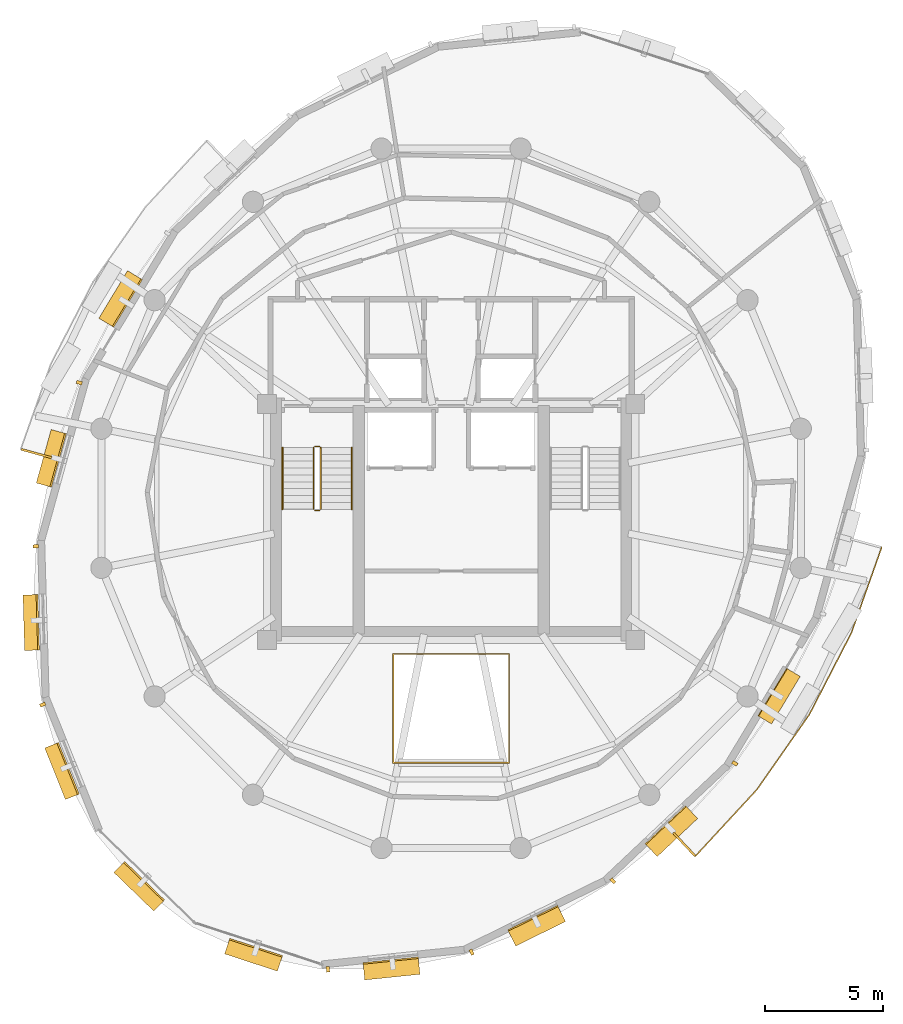
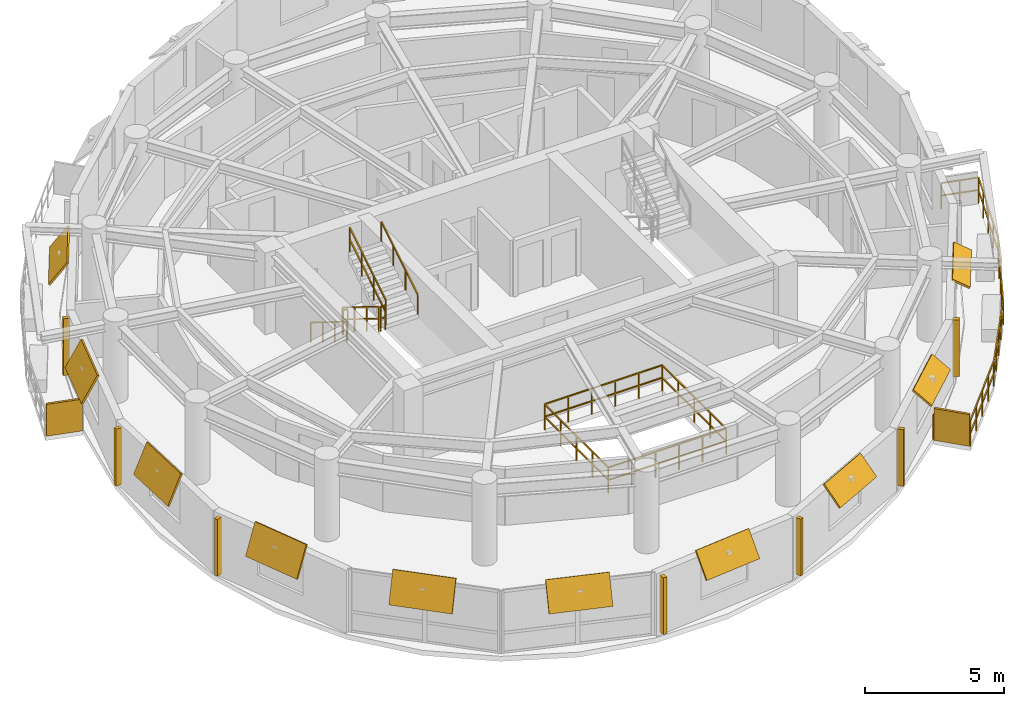
# One storey, part 10 of 11: 19 shading devices, 8 railings.
"""IFC4 building model written with IfcOpenShell, lengths in metres."""

import ifcopenshell
import ifcopenshell.guid

model = None  # the IFC model being written
_history = None  # IfcOwnerHistory: only IFC2X3 demands one
_inside = {}  # id of a spatial element -> (the spatial element, [elements in it])
_under = {}  # id of a project, library or spatial element -> (it, [spatial elements below it])
_declared = {}  # id of a project -> (the project, [libraries it declares])
_typed = {}  # id of a type object -> (the type object, [elements of that type])
_made_of = {}  # id of a material, layer set ... -> (it, [elements and type objects made of it])


def new_model(schema):
    """Start an empty IFC model of exactly this schema.

    Asked for "IFC4X3", IfcOpenShell would pick the latest addendum, in which some entities
    have other attributes; the version numbers below select the first issue.
    IFC2X3 requires an IfcOwnerHistory on every rooted entity: one is made here for all.
    """
    global model, _history
    if schema == "IFC4X3":
        model = ifcopenshell.file(schema_version=(4, 3, 0, 0))
    else:
        model = ifcopenshell.file(schema=schema)
    _inside.clear()
    _under.clear()
    _declared.clear()
    _typed.clear()
    _made_of.clear()
    _history = None
    if model.schema == "IFC2X3":
        org = make("IfcOrganization", Name="unknown")
        user = make(
            "IfcPersonAndOrganization",
            ThePerson=make("IfcPerson", FamilyName="unknown"),
            TheOrganization=org,
        )
        app = make(
            "IfcApplication",
            ApplicationDeveloper=org,
            Version="unknown",
            ApplicationFullName="unknown",
            ApplicationIdentifier="unknown",
        )
        _history = make(
            "IfcOwnerHistory",
            OwningUser=user,
            OwningApplication=app,
            ChangeAction="ADDED",
            CreationDate=0,
        )
    return model


def make(cls, **values):
    """One entity of the class cls with the attributes given. An attribute that is None is left unset."""
    return model.create_entity(
        cls, **{name: value for name, value in values.items() if value is not None}
    )


def rooted(cls, **values):
    """An entity with a GlobalId (a new one), such as an element, a storey or a relation."""
    return make(cls, GlobalId=ifcopenshell.guid.new(), OwnerHistory=_history, **values)


def si_unit(unit_type, name, prefix=None):
    """IfcSIUnit, for example si_unit("LENGTHUNIT", "METRE", prefix="MILLI")."""
    return make("IfcSIUnit", UnitType=unit_type, Prefix=prefix, Name=name)


def assignment(units):
    """IfcUnitAssignment: the units of a project."""
    return None if units is None else make("IfcUnitAssignment", Units=units)


def point(xyz):
    """IfcCartesianPoint."""
    return None if xyz is None else make("IfcCartesianPoint", Coordinates=xyz)


def direction(xyz):
    """IfcDirection."""
    return None if xyz is None else make("IfcDirection", DirectionRatios=xyz)


def frame(location, z_axis=None, x_axis=None):
    """IfcAxis2Placement3D, a coordinate frame: its origin and axes. An axis left out is left unset."""
    return make(
        "IfcAxis2Placement3D",
        Location=point(location),
        Axis=direction(z_axis),
        RefDirection=direction(x_axis),
    )


def frame_2d(location, x_axis=None):
    """IfcAxis2Placement2D, a coordinate frame in the plane: its origin and x axis."""
    return make(
        "IfcAxis2Placement2D", Location=point(location), RefDirection=direction(x_axis)
    )


def origin():
    """The frame at (0, 0, 0) with its axes left unset."""
    return frame((0.0, 0.0, 0.0))


def origin_2d():
    """The frame at (0, 0) in the plane with its x axis left unset."""
    return frame_2d((0.0, 0.0))


def place(relative_to, where):
    """IfcLocalPlacement: puts the frame where relative to a parent placement (None: the world)."""
    return make(
        "IfcLocalPlacement", PlacementRelTo=relative_to, RelativePlacement=where
    )


def context(
    kind, dimensions, precision=None, world=None, true_north=None, identifier=None
):
    """IfcGeometricRepresentationContext, for example the 3D "Model" context."""
    return make(
        "IfcGeometricRepresentationContext",
        ContextIdentifier=identifier,
        ContextType=kind,
        CoordinateSpaceDimension=dimensions,
        Precision=precision,
        WorldCoordinateSystem=world,
        TrueNorth=true_north,
    )


def subcontext(parent, identifier, kind, view, scale=None):
    """IfcGeometricRepresentationSubContext, for example "Body" below "Model"."""
    return make(
        "IfcGeometricRepresentationSubContext",
        ContextIdentifier=identifier,
        ContextType=kind,
        ParentContext=parent,
        TargetScale=scale,
        TargetView=view,
    )


def project(units=None, contexts=None):
    """IfcProject with its units and contexts."""
    return rooted(
        "IfcProject",
        Name="project",
        RepresentationContexts=contexts,
        UnitsInContext=assignment(units),
    )


def spatial(cls, under=None, at=None, **own):
    """A site, building, storey or space (cls), placed at a placement, below another one or the project."""
    s = rooted(cls, ObjectPlacement=at, **own)
    if under is not None:
        _under.setdefault(under.id(), (under, []))[1].append(s)
    return s


def profile(cls, at=None, kind="AREA", **sizes):
    """A parametric profile (cls). Its sizes go by their IFC names, for example OverallWidth=200.0."""
    return make(cls, ProfileType=kind, Position=at, **sizes)


def rectangle(**sizes):
    """IfcRectangleProfileDef."""
    return profile("IfcRectangleProfileDef", **sizes)


def extrude(swept, where, along, depth):
    """IfcExtrudedAreaSolid: the profile swept, set in the frame where, extruded along a direction by depth."""
    return make(
        "IfcExtrudedAreaSolid",
        SweptArea=swept,
        Position=where,
        ExtrudedDirection=direction(along),
        Depth=depth,
    )


def shape(context_of_items, identifier, shape_type, items):
    """IfcShapeRepresentation: the items that make up one representation, for example the "Body"."""
    return make(
        "IfcShapeRepresentation",
        ContextOfItems=context_of_items,
        RepresentationIdentifier=identifier,
        RepresentationType=shape_type,
        Items=items,
    )


def material(Name=None, Category=None):
    """IfcMaterial."""
    return make("IfcMaterial", Name=Name, Category=Category)


def layer(
    of_material, thickness, ventilated=None, Name=None, Category=None, Priority=None
):
    """IfcMaterialLayer: one layer of a wall or slab, of a material (None: an air gap)."""
    return make(
        "IfcMaterialLayer",
        Material=of_material,
        LayerThickness=thickness,
        IsVentilated=ventilated,
        Name=Name,
        Category=Category,
        Priority=Priority,
    )


def layer_set(layers, Name=None):
    """IfcMaterialLayerSet."""
    return make("IfcMaterialLayerSet", MaterialLayers=layers, LayerSetName=Name)


def made_of(thing, what):
    """Note that an element or type object is made of a material, layer set ...; save() writes the relation."""
    if what is not None:
        _made_of.setdefault(what.id(), (what, []))[1].append(thing)
    return thing


def type_object(cls, material=None, **own):
    """A type object (cls), such as IfcWallType, which elements share."""
    return made_of(rooted(cls, **own), material)


def element(
    cls,
    number,
    at=None,
    inside=None,
    cuts=None,
    type_object=None,
    material=None,
    context=None,
    identifier="Body",
    shape_type=None,
    held_by="IfcProductDefinitionShape",
    body=None,
    shapes=None,
    **own,
):
    """One element of the class cls, such as IfcWall. Its Tag is "e" and its number.

    at: its placement. inside: the storey or other place that contains it. cuts: it is an
    opening in that element (IfcRelVoidsElement). A single representation is given by context,
    identifier, shape_type and body (its items); several are given by shapes. held_by: the class
    of the entity that holds the representations. save() writes the other relations.
    """
    e = rooted(cls, Tag="e%d" % number, ObjectPlacement=at, **own)
    if body is not None:
        shapes = [shape(context, identifier, shape_type, body)]
    if shapes is not None:
        e.Representation = make(held_by, Representations=shapes)
    if inside is not None:
        _inside.setdefault(inside.id(), (inside, []))[1].append(e)
    if cuts is not None:
        rooted(
            "IfcRelVoidsElement", RelatingBuildingElement=cuts, RelatedOpeningElement=e
        )
    if type_object is not None:
        _typed.setdefault(type_object.id(), (type_object, []))[1].append(e)
    return made_of(e, material)


def aggregate(whole, parts):
    """IfcRelAggregates: a whole, such as a stair, and the parts it consists of."""
    return rooted("IfcRelAggregates", RelatingObject=whole, RelatedObjects=parts)


def save(model, path):
    """Write the relations noted so far, then the file.

    IfcRelAggregates (storeys below a building ...), IfcRelContainedInSpatialStructure (elements
    in a storey), IfcRelDefinesByType, IfcRelAssociatesMaterial and IfcRelDeclares: one each for
    every whole, place, type object, material and project.
    """
    for whole, parts in _under.values():
        aggregate(whole, parts)
    for where, things in _inside.values():
        rooted(
            "IfcRelContainedInSpatialStructure",
            RelatedElements=things,
            RelatingStructure=where,
        )
    for kind, things in _typed.values():
        rooted("IfcRelDefinesByType", RelatedObjects=things, RelatingType=kind)
    for what, things in _made_of.values():
        rooted("IfcRelAssociatesMaterial", RelatedObjects=things, RelatingMaterial=what)
    for by, libraries in _declared.values():
        rooted("IfcRelDeclares", RelatingContext=by, RelatedDefinitions=libraries)
    model.write(path)


model = new_model("IFC4")

# Units and contexts
model_context = context("Model", 3, precision=1e-05, world=origin(), true_north=direction((0.0, 1.0)))
body_context = subcontext(model_context, "Body", "Model", "MODEL_VIEW")
ifc_project = project(units=[si_unit("LENGTHUNIT", "METRE"), si_unit("AREAUNIT", "SQUARE_METRE"), si_unit("VOLUMEUNIT", "CUBIC_METRE"), si_unit("PLANEANGLEUNIT", "RADIAN"), si_unit("MASSUNIT", "GRAM", prefix="KILO"), si_unit("THERMODYNAMICTEMPERATUREUNIT", "KELVIN"), si_unit("POWERUNIT", "WATT")], contexts=[model_context])

# Site, building, storey
site_placement = place(None, origin())
site = spatial("IfcSite", under=ifc_project, at=site_placement, CompositionType="ELEMENT")
building_placement = place(site_placement, origin())
building = spatial("IfcBuilding", under=site, at=building_placement, Name="Ocrelia Relay Tower", CompositionType="ELEMENT")
storey_placement = place(building_placement, frame((0.0, 0.0, 273.60009765625)))
storey = spatial("IfcBuildingStorey", under=building, at=storey_placement, Name="L68", CompositionType="ELEMENT", Elevation=273.60009765625)

# Railings
ifc_material_1 = material(Name="Steel S355 balustrade", Category="steel")
railing_type_1 = type_object("IfcRailingType", Name="RL-EXT-GUARD-1150", PredefinedType="GUARDRAIL", material=ifc_material_1)
railing_1_placement = place(storey_placement, frame((50.8896484375, 24.288818359375, 0.0)))
element("IfcRailing", 1, at=railing_1_placement, inside=storey, type_object=railing_type_1, Name="L68 Loggia Balcony Guard Rail B2", PredefinedType="GUARDRAIL", context=body_context, shape_type="SweptSolid", body=[
    extrude(rectangle(XDim=0.048095703125, YDim=0.048095703125, at=origin_2d()), frame((0.0, 0.0, 1.1259765625), z_axis=(0.964028233206, -0.26579986001, 0.0), x_axis=(0.26579986001, 0.964028233206, 0.0)), (0.0, 0.0, 1.0), 1.393310546875),
    extrude(rectangle(XDim=0.048095703125, YDim=0.048095703125, at=origin_2d()), frame((0.0, 0.0, 0.574951171875), z_axis=(0.964028233206, -0.26579986001, 0.0), x_axis=(0.26579986001, 0.964028233206, 0.0)), (0.0, 0.0, 1.0), 1.393310546875),
    extrude(rectangle(XDim=0.048095703125, YDim=0.048095703125, at=origin_2d()), frame((1.34326171875, -0.370361328125, 1.1259765625), z_axis=(-0.333145881361, -0.9428752949, 0.0), x_axis=(0.9428752949, -0.333145881361, 0.0)), (0.0, 0.0, 1.0), 1.920654296875),
    extrude(rectangle(XDim=0.048095703125, YDim=0.048095703125, at=origin_2d()), frame((1.34326171875, -0.370361328125, 0.574951171875), z_axis=(-0.333145881361, -0.9428752949, 0.0), x_axis=(0.9428752949, -0.333145881361, 0.0)), (0.0, 0.0, 1.0), 1.920654296875),
    extrude(rectangle(XDim=0.048095703125, YDim=0.048095703125, at=origin_2d()), frame((0.703369140625, -2.181396484375, 1.1259765625), z_axis=(-0.333032874835, -0.942915215849, 0.0), x_axis=(0.942915215849, -0.333032874835, 0.0)), (0.0, 0.0, 1.0), 1.920654296875),
    extrude(rectangle(XDim=0.048095703125, YDim=0.048095703125, at=origin_2d()), frame((0.703369140625, -2.181396484375, 0.574951171875), z_axis=(-0.333032874835, -0.942915215849, 0.0), x_axis=(0.942915215849, -0.333032874835, 0.0)), (0.0, 0.0, 1.0), 1.920654296875),
    extrude(rectangle(XDim=0.048095703125, YDim=0.048095703125, at=origin_2d()), frame((0.063720703125, -3.992431640625, 1.1259765625), z_axis=(-0.457923454182, -0.888991625444, 0.0), x_axis=(0.888991625444, -0.457923454182, 0.0)), (0.0, 0.0, 1.0), 3.8818359375),
    extrude(rectangle(XDim=0.048095703125, YDim=0.048095703125, at=origin_2d()), frame((0.063720703125, -3.992431640625, 0.574951171875), z_axis=(-0.457923454182, -0.888991625444, 0.0), x_axis=(0.888991625444, -0.457923454182, 0.0)), (0.0, 0.0, 1.0), 3.8818359375),
    extrude(rectangle(XDim=0.048095703125, YDim=0.048095703125, at=origin_2d()), frame((-1.7138671875, -7.443359375, 1.1259765625), z_axis=(-0.572824803957, -0.819677829377, 0.0), x_axis=(0.819677829377, -0.572824803957, 0.0)), (0.0, 0.0, 1.0), 3.8818359375),
    extrude(rectangle(XDim=0.048095703125, YDim=0.048095703125, at=origin_2d()), frame((-1.7138671875, -7.443359375, 0.574951171875), z_axis=(-0.572824803957, -0.819677829377, 0.0), x_axis=(0.819677829377, -0.572824803957, 0.0)), (0.0, 0.0, 1.0), 3.8818359375),
    extrude(rectangle(XDim=0.048095703125, YDim=0.048095703125, at=origin_2d()), frame((-3.9375, -10.625244140625, 1.1259765625), z_axis=(-0.678723414129, -0.734393986299, 0.0), x_axis=(0.734393986299, -0.678723414129, 0.0)), (0.0, 0.0, 1.0), 1.9208984375),
    extrude(rectangle(XDim=0.048095703125, YDim=0.048095703125, at=origin_2d()), frame((-3.9375, -10.625244140625, 0.574951171875), z_axis=(-0.678723414129, -0.734393986299, 0.0), x_axis=(0.734393986299, -0.678723414129, 0.0)), (0.0, 0.0, 1.0), 1.9208984375),
    extrude(rectangle(XDim=0.048095703125, YDim=0.048095703125, at=origin_2d()), frame((-5.2412109375, -12.035888671875, 1.1259765625), z_axis=(-0.678654854889, -0.734457342489, 0.0), x_axis=(0.734457342489, -0.678654854889, 0.0)), (0.0, 0.0, 1.0), 1.920654296875),
    extrude(rectangle(XDim=0.048095703125, YDim=0.048095703125, at=origin_2d()), frame((-5.2412109375, -12.035888671875, 0.574951171875), z_axis=(-0.678654854889, -0.734457342489, 0.0), x_axis=(0.734457342489, -0.678654854889, 0.0)), (0.0, 0.0, 1.0), 1.920654296875),
    extrude(rectangle(XDim=0.048095703125, YDim=0.048095703125, at=origin_2d()), frame((-6.544677734375, -13.446533203125, 1.1259765625), z_axis=(-0.684867220782, 0.728667887243, 0.0), x_axis=(-0.728667887243, -0.684867220782, 0.0)), (0.0, 0.0, 1.0), 1.3935546875),
    extrude(rectangle(XDim=0.048095703125, YDim=0.048095703125, at=origin_2d()), frame((-6.544677734375, -13.446533203125, 0.574951171875), z_axis=(-0.684867220782, 0.728667887243, 0.0), x_axis=(-0.728667887243, -0.684867220782, 0.0)), (0.0, 0.0, 1.0), 1.3935546875),
    extrude(rectangle(XDim=0.0419921875, YDim=0.0419921875, at=origin_2d()), origin(), (0.0, 0.0, 1.0), 1.101806640625),
    extrude(rectangle(XDim=0.0419921875, YDim=0.0419921875, at=origin_2d()), frame((0.671630859375, -0.18505859375, 0.0)), (0.0, 0.0, 1.0), 1.101806640625),
    extrude(rectangle(XDim=0.0419921875, YDim=0.0419921875, at=origin_2d()), frame((1.34326171875, -0.370361328125, 0.0)), (0.0, 0.0, 1.0), 1.101806640625),
    extrude(rectangle(XDim=0.0419921875, YDim=0.0419921875, at=origin_2d()), frame((1.0234375, -1.27587890625, 0.0)), (0.0, 0.0, 1.0), 1.101806640625),
    extrude(rectangle(XDim=0.0419921875, YDim=0.0419921875, at=origin_2d()), frame((0.703369140625, -2.181396484375, 0.0)), (0.0, 0.0, 1.0), 1.101806640625),
    extrude(rectangle(XDim=0.0419921875, YDim=0.0419921875, at=origin_2d()), frame((0.383544921875, -3.0869140625, 0.0)), (0.0, 0.0, 1.0), 1.101806640625),
    extrude(rectangle(XDim=0.0419921875, YDim=0.0419921875, at=origin_2d()), frame((0.063720703125, -3.992431640625, 0.0)), (0.0, 0.0, 1.0), 1.101806640625),
    extrude(rectangle(XDim=0.0419921875, YDim=0.0419921875, at=origin_2d()), frame((-0.380615234375, -4.855224609375, 0.0)), (0.0, 0.0, 1.0), 1.101806640625),
    extrude(rectangle(XDim=0.0419921875, YDim=0.0419921875, at=origin_2d()), frame((-0.8251953125, -5.7177734375, 0.0)), (0.0, 0.0, 1.0), 1.101806640625),
    extrude(rectangle(XDim=0.0419921875, YDim=0.0419921875, at=origin_2d()), frame((-1.26953125, -6.58056640625, 0.0)), (0.0, 0.0, 1.0), 1.101806640625),
    extrude(rectangle(XDim=0.0419921875, YDim=0.0419921875, at=origin_2d()), frame((-1.7138671875, -7.443359375, 0.0)), (0.0, 0.0, 1.0), 1.101806640625),
    extrude(rectangle(XDim=0.0419921875, YDim=0.0419921875, at=origin_2d()), frame((-2.269775390625, -8.23876953125, 0.0)), (0.0, 0.0, 1.0), 1.101806640625),
    extrude(rectangle(XDim=0.0419921875, YDim=0.0419921875, at=origin_2d()), frame((-2.82568359375, -9.0341796875, 0.0)), (0.0, 0.0, 1.0), 1.101806640625),
    extrude(rectangle(XDim=0.0419921875, YDim=0.0419921875, at=origin_2d()), frame((-3.381591796875, -9.829833984375, 0.0)), (0.0, 0.0, 1.0), 1.101806640625),
    extrude(rectangle(XDim=0.0419921875, YDim=0.0419921875, at=origin_2d()), frame((-3.9375, -10.625244140625, 0.0)), (0.0, 0.0, 1.0), 1.101806640625),
    extrude(rectangle(XDim=0.0419921875, YDim=0.0419921875, at=origin_2d()), frame((-4.58935546875, -11.33056640625, 0.0)), (0.0, 0.0, 1.0), 1.101806640625),
    extrude(rectangle(XDim=0.0419921875, YDim=0.0419921875, at=origin_2d()), frame((-5.2412109375, -12.035888671875, 0.0)), (0.0, 0.0, 1.0), 1.101806640625),
    extrude(rectangle(XDim=0.0419921875, YDim=0.0419921875, at=origin_2d()), frame((-5.89306640625, -12.7412109375, 0.0)), (0.0, 0.0, 1.0), 1.101806640625),
    extrude(rectangle(XDim=0.0419921875, YDim=0.0419921875, at=origin_2d()), frame((-6.544677734375, -13.446533203125, 0.0)), (0.0, 0.0, 1.0), 1.101806640625),
    extrude(rectangle(XDim=0.0419921875, YDim=0.0419921875, at=origin_2d()), frame((-7.02197265625, -12.93896484375, 0.0)), (0.0, 0.0, 1.0), 1.101806640625),
    extrude(rectangle(XDim=0.0419921875, YDim=0.0419921875, at=origin_2d()), frame((-7.4990234375, -12.43115234375, 0.0)), (0.0, 0.0, 1.0), 1.101806640625),
])
ifc_material_2 = material(Name="Steel S355 atrium balustrade", Category="steel")
railing_type_2 = type_object("IfcRailingType", Name="RL-INT-GUARD-115", PredefinedType="GUARDRAIL", material=ifc_material_2)
railing_2_placement = place(storey_placement, frame((31.550048828125, 14.800048828125, 0.0)))
element("IfcRailing", 2, at=railing_2_placement, inside=storey, type_object=railing_type_2, Name="L68 Multi-Zone Interior Atrium Guard", PredefinedType="GUARDRAIL", context=body_context, shape_type="SweptSolid", body=[
    extrude(rectangle(XDim=0.048095703125, YDim=0.048095703125, at=origin_2d()), frame((0.0, 0.0, 1.1259765625), z_axis=(1.0, 0.0, 0.0), x_axis=(0.0, 1.0, 0.0)), (0.0, 0.0, 1.0), 4.89990234375),
    extrude(rectangle(XDim=0.048095703125, YDim=0.048095703125, at=origin_2d()), frame((0.0, 0.0, 0.574951171875), z_axis=(1.0, 0.0, 0.0), x_axis=(0.0, 1.0, 0.0)), (0.0, 0.0, 1.0), 4.89990234375),
    extrude(rectangle(XDim=0.048095703125, YDim=0.048095703125, at=origin_2d()), frame((4.89990234375, 0.0, 1.1259765625), z_axis=(0.0, 1.0, 0.0), x_axis=(-1.0, 0.0, 0.0)), (0.0, 0.0, 1.0), 4.599853515625),
    extrude(rectangle(XDim=0.048095703125, YDim=0.048095703125, at=origin_2d()), frame((4.89990234375, 0.0, 0.574951171875), z_axis=(0.0, 1.0, 0.0), x_axis=(-1.0, 0.0, 0.0)), (0.0, 0.0, 1.0), 4.599853515625),
    extrude(rectangle(XDim=0.048095703125, YDim=0.048095703125, at=origin_2d()), frame((4.89990234375, 4.599853515625, 1.1259765625), z_axis=(-1.0, 0.0, 0.0), x_axis=(0.0, -1.0, 0.0)), (0.0, 0.0, 1.0), 4.89990234375),
    extrude(rectangle(XDim=0.048095703125, YDim=0.048095703125, at=origin_2d()), frame((4.89990234375, 4.599853515625, 0.574951171875), z_axis=(-1.0, 0.0, 0.0), x_axis=(0.0, -1.0, 0.0)), (0.0, 0.0, 1.0), 4.89990234375),
    extrude(rectangle(XDim=0.048095703125, YDim=0.048095703125, at=origin_2d()), frame((0.0, 4.599853515625, 1.1259765625), z_axis=(0.0, -1.0, 0.0), x_axis=(1.0, 0.0, 0.0)), (0.0, 0.0, 1.0), 4.599853515625),
    extrude(rectangle(XDim=0.048095703125, YDim=0.048095703125, at=origin_2d()), frame((0.0, 4.599853515625, 0.574951171875), z_axis=(0.0, -1.0, 0.0), x_axis=(1.0, 0.0, 0.0)), (0.0, 0.0, 1.0), 4.599853515625),
    extrude(rectangle(XDim=0.0419921875, YDim=0.0419921875, at=origin_2d()), origin(), (0.0, 0.0, 1.0), 1.101806640625),
    extrude(rectangle(XDim=0.0419921875, YDim=0.0419921875, at=origin_2d()), frame((0.97998046875, 0.0, 0.0)), (0.0, 0.0, 1.0), 1.101806640625),
    extrude(rectangle(XDim=0.0419921875, YDim=0.0419921875, at=origin_2d()), frame((1.9599609375, 0.0, 0.0)), (0.0, 0.0, 1.0), 1.101806640625),
    extrude(rectangle(XDim=0.0419921875, YDim=0.0419921875, at=origin_2d()), frame((2.93994140625, 0.0, 0.0)), (0.0, 0.0, 1.0), 1.101806640625),
    extrude(rectangle(XDim=0.0419921875, YDim=0.0419921875, at=origin_2d()), frame((3.919921875, 0.0, 0.0)), (0.0, 0.0, 1.0), 1.101806640625),
    extrude(rectangle(XDim=0.0419921875, YDim=0.0419921875, at=origin_2d()), frame((4.89990234375, 0.0, 0.0)), (0.0, 0.0, 1.0), 1.101806640625),
    extrude(rectangle(XDim=0.0419921875, YDim=0.0419921875, at=origin_2d()), frame((4.89990234375, 1.14990234375, 0.0)), (0.0, 0.0, 1.0), 1.101806640625),
    extrude(rectangle(XDim=0.0419921875, YDim=0.0419921875, at=origin_2d()), frame((4.89990234375, 2.2998046875, 0.0)), (0.0, 0.0, 1.0), 1.101806640625),
    extrude(rectangle(XDim=0.0419921875, YDim=0.0419921875, at=origin_2d()), frame((4.89990234375, 3.449951171875, 0.0)), (0.0, 0.0, 1.0), 1.101806640625),
    extrude(rectangle(XDim=0.0419921875, YDim=0.0419921875, at=origin_2d()), frame((4.89990234375, 4.599853515625, 0.0)), (0.0, 0.0, 1.0), 1.101806640625),
    extrude(rectangle(XDim=0.0419921875, YDim=0.0419921875, at=origin_2d()), frame((3.919921875, 4.599853515625, 0.0)), (0.0, 0.0, 1.0), 1.101806640625),
    extrude(rectangle(XDim=0.0419921875, YDim=0.0419921875, at=origin_2d()), frame((2.93994140625, 4.599853515625, 0.0)), (0.0, 0.0, 1.0), 1.101806640625),
    extrude(rectangle(XDim=0.0419921875, YDim=0.0419921875, at=origin_2d()), frame((1.9599609375, 4.599853515625, 0.0)), (0.0, 0.0, 1.0), 1.101806640625),
    extrude(rectangle(XDim=0.0419921875, YDim=0.0419921875, at=origin_2d()), frame((0.97998046875, 4.599853515625, 0.0)), (0.0, 0.0, 1.0), 1.101806640625),
    extrude(rectangle(XDim=0.0419921875, YDim=0.0419921875, at=origin_2d()), frame((0.0, 4.599853515625, 0.0)), (0.0, 0.0, 1.0), 1.101806640625),
    extrude(rectangle(XDim=0.0419921875, YDim=0.0419921875, at=origin_2d()), frame((0.0, 3.449951171875, 0.0)), (0.0, 0.0, 1.0), 1.101806640625),
    extrude(rectangle(XDim=0.0419921875, YDim=0.0419921875, at=origin_2d()), frame((0.0, 2.2998046875, 0.0)), (0.0, 0.0, 1.0), 1.101806640625),
    extrude(rectangle(XDim=0.0419921875, YDim=0.0419921875, at=origin_2d()), frame((0.0, 1.14990234375, 0.0)), (0.0, 0.0, 1.0), 1.101806640625),
])
railing_type_3 = type_object("IfcRailingType", Name="RL-STAIR-GUARD", PredefinedType="GUARDRAIL", material=ifc_material_1)
railing_3_placement = place(storey_placement, frame((28.179931640625, 28.14990234375, 0.179931640625)))
element("IfcRailing", 3, at=railing_3_placement, inside=storey, type_object=railing_type_3, Name="L68 ST1 stair guard 1", PredefinedType="GUARDRAIL", context=body_context, shape_type="SweptSolid", body=[
    extrude(rectangle(XDim=0.048095703125, YDim=0.048095703125, at=origin_2d()), frame((0.0, 0.0, 1.076171875), z_axis=(0.0, -0.849646306263, 0.527352969322), x_axis=(1.0, 0.0, 0.0)), (0.0, 0.0, 1.0), 3.07177734375),
    extrude(rectangle(XDim=0.048095703125, YDim=0.048095703125, at=origin_2d()), frame((0.0, 0.0, 0.550048828125), z_axis=(0.0, -0.849646306263, 0.527352969322), x_axis=(1.0, 0.0, 0.0)), (0.0, 0.0, 1.0), 3.07177734375),
    extrude(rectangle(XDim=0.0419921875, YDim=0.0419921875, at=origin_2d()), origin(), (0.0, 0.0, 1.0), 1.052001953125),
    extrude(rectangle(XDim=0.0419921875, YDim=0.0419921875, at=origin_2d()), frame((0.0, -0.869873046875, 0.5400390625)), (0.0, 0.0, 1.0), 1.052001953125),
    extrude(rectangle(XDim=0.0419921875, YDim=0.0419921875, at=origin_2d()), frame((0.0, -1.739990234375, 1.079833984375)), (0.0, 0.0, 1.0), 1.052001953125),
    extrude(rectangle(XDim=0.0419921875, YDim=0.0419921875, at=origin_2d()), frame((0.0, -2.60986328125, 1.619873046875)), (0.0, 0.0, 1.0), 1.052001953125),
])
railing_4_placement = place(storey_placement, frame((28.22998046875, 25.489990234375, 1.7998046875)))
element("IfcRailing", 4, at=railing_4_placement, inside=storey, type_object=railing_type_3, Name="L68 ST1 stair guard 2", PredefinedType="GUARDRAIL", context=body_context, shape_type="SweptSolid", body=[
    extrude(rectangle(XDim=0.048095703125, YDim=0.048095703125, at=origin_2d()), frame((0.0, 0.0, 1.076171875), z_axis=(1.0, 0.0, 0.0), x_axis=(0.0, 1.0, 0.0)), (0.0, 0.0, 1.0), 0.199951171875),
    extrude(rectangle(XDim=0.048095703125, YDim=0.048095703125, at=origin_2d()), frame((0.0, 0.0, 0.550048828125), z_axis=(1.0, 0.0, 0.0), x_axis=(0.0, 1.0, 0.0)), (0.0, 0.0, 1.0), 0.199951171875),
    extrude(rectangle(XDim=0.0419921875, YDim=0.0419921875, at=origin_2d()), origin(), (0.0, 0.0, 1.0), 1.052001953125),
    extrude(rectangle(XDim=0.0419921875, YDim=0.0419921875, at=origin_2d()), frame((0.199951171875, 0.0, 0.0)), (0.0, 0.0, 1.0), 1.052001953125),
])
railing_5_placement = place(storey_placement, frame((28.47998046875, 25.5400390625, 1.97998046875)))
element("IfcRailing", 5, at=railing_5_placement, inside=storey, type_object=railing_type_3, Name="L68 ST1 stair guard 3", PredefinedType="GUARDRAIL", context=body_context, shape_type="SweptSolid", body=[
    extrude(rectangle(XDim=0.048095703125, YDim=0.048095703125, at=origin_2d()), frame((0.0, 0.0, 1.076171875), z_axis=(0.0, 0.849646306263, 0.527352969322), x_axis=(-1.0, 0.0, 0.0)), (0.0, 0.0, 1.0), 3.07177734375),
    extrude(rectangle(XDim=0.048095703125, YDim=0.048095703125, at=origin_2d()), frame((0.0, 0.0, 0.550048828125), z_axis=(0.0, 0.849646306263, 0.527352969322), x_axis=(-1.0, 0.0, 0.0)), (0.0, 0.0, 1.0), 3.07177734375),
    extrude(rectangle(XDim=0.0419921875, YDim=0.0419921875, at=origin_2d()), origin(), (0.0, 0.0, 1.0), 1.052001953125),
    extrude(rectangle(XDim=0.0419921875, YDim=0.0419921875, at=origin_2d()), frame((0.0, 0.869873046875, 0.5400390625)), (0.0, 0.0, 1.0), 1.052001953125),
    extrude(rectangle(XDim=0.0419921875, YDim=0.0419921875, at=origin_2d()), frame((0.0, 1.739990234375, 1.079833984375)), (0.0, 0.0, 1.0), 1.052001953125),
    extrude(rectangle(XDim=0.0419921875, YDim=0.0419921875, at=origin_2d()), frame((0.0, 2.60986328125, 1.619873046875)), (0.0, 0.0, 1.0), 1.052001953125),
])
railing_6_placement = place(storey_placement, frame((28.22998046875, 28.199951171875, 0.0)))
element("IfcRailing", 6, at=railing_6_placement, inside=storey, type_object=railing_type_3, Name="L68 ST1 stair guard 4", PredefinedType="GUARDRAIL", context=body_context, shape_type="SweptSolid", body=[
    extrude(rectangle(XDim=0.048095703125, YDim=0.048095703125, at=origin_2d()), frame((0.0, 0.0, 1.076171875), z_axis=(1.0, 0.0, 0.0), x_axis=(0.0, 1.0, 0.0)), (0.0, 0.0, 1.0), 0.199951171875),
    extrude(rectangle(XDim=0.048095703125, YDim=0.048095703125, at=origin_2d()), frame((0.0, 0.0, 0.550048828125), z_axis=(1.0, 0.0, 0.0), x_axis=(0.0, 1.0, 0.0)), (0.0, 0.0, 1.0), 0.199951171875),
    extrude(rectangle(XDim=0.0419921875, YDim=0.0419921875, at=origin_2d()), origin(), (0.0, 0.0, 1.0), 1.052001953125),
    extrude(rectangle(XDim=0.0419921875, YDim=0.0419921875, at=origin_2d()), frame((0.199951171875, 0.0, 0.0)), (0.0, 0.0, 1.0), 1.052001953125),
])
ifc_material_3 = material(Name="Steel S355 tubular handrail", Category="steel")
railing_type_4 = type_object("IfcRailingType", Name="RL-STAIR-HAND", PredefinedType="HANDRAIL", material=ifc_material_3)
railing_7_placement = place(storey_placement, frame((26.860107421875, 28.14990234375, 0.179931640625)))
element("IfcRailing", 7, at=railing_7_placement, inside=storey, type_object=railing_type_4, Name="L68 ST1 stair handrail 1", PredefinedType="HANDRAIL", context=body_context, shape_type="SweptSolid", body=[
    extrude(rectangle(XDim=0.048095703125, YDim=0.048095703125, at=origin_2d()), frame((0.0, 0.0, 0.8759765625), z_axis=(0.0, -0.849646306263, 0.527352969322), x_axis=(1.0, 0.0, 0.0)), (0.0, 0.0, 1.0), 3.07177734375),
    extrude(rectangle(XDim=0.0419921875, YDim=0.0419921875, at=origin_2d()), origin(), (0.0, 0.0, 1.0), 0.851806640625),
    extrude(rectangle(XDim=0.0419921875, YDim=0.0419921875, at=origin_2d()), frame((0.0, -0.869873046875, 0.5400390625)), (0.0, 0.0, 1.0), 0.851806640625),
    extrude(rectangle(XDim=0.0419921875, YDim=0.0419921875, at=origin_2d()), frame((0.0, -1.739990234375, 1.079833984375)), (0.0, 0.0, 1.0), 0.851806640625),
    extrude(rectangle(XDim=0.0419921875, YDim=0.0419921875, at=origin_2d()), frame((0.0, -2.60986328125, 1.619873046875)), (0.0, 0.0, 1.0), 0.851806640625),
])
railing_8_placement = place(storey_placement, frame((29.800048828125, 25.5400390625, 1.97998046875)))
element("IfcRailing", 8, at=railing_8_placement, inside=storey, type_object=railing_type_4, Name="L68 ST1 stair handrail 2", PredefinedType="HANDRAIL", context=body_context, shape_type="SweptSolid", body=[
    extrude(rectangle(XDim=0.048095703125, YDim=0.048095703125, at=origin_2d()), frame((0.0, 0.0, 0.8759765625), z_axis=(0.0, 0.849646306263, 0.527352969322), x_axis=(-1.0, 0.0, 0.0)), (0.0, 0.0, 1.0), 3.07177734375),
    extrude(rectangle(XDim=0.0419921875, YDim=0.0419921875, at=origin_2d()), origin(), (0.0, 0.0, 1.0), 0.851806640625),
    extrude(rectangle(XDim=0.0419921875, YDim=0.0419921875, at=origin_2d()), frame((0.0, 0.869873046875, 0.5400390625)), (0.0, 0.0, 1.0), 0.851806640625),
    extrude(rectangle(XDim=0.0419921875, YDim=0.0419921875, at=origin_2d()), frame((0.0, 1.739990234375, 1.079833984375)), (0.0, 0.0, 1.0), 0.851806640625),
    extrude(rectangle(XDim=0.0419921875, YDim=0.0419921875, at=origin_2d()), frame((0.0, 2.60986328125, 1.619873046875)), (0.0, 0.0, 1.0), 0.851806640625),
])

# Shading devices
ifc_material_4 = material(Name="Perforated oxide terracotta solar screen", Category="masonry")
ifc_layer_1 = layer(ifc_material_4, 0.090087890625, Name="Perforated oxide terracotta solar screen")
ifc_layer_set_1 = layer_set([ifc_layer_1], Name="Perforated oxide terracotta solar screen")
shading_device_type_1 = type_object("IfcShadingDeviceType", Name="SH-BALC-SCREEN", PredefinedType="USERDEFINED", material=ifc_layer_set_1)
for number, where, z_axis, x_axis, name in (
    (9, (16.438720703125, 27.896240234375, 0.0), (0.0, 0.0, 1.0), (-0.964004670381, 0.265885305131, 0.0), "L68 Balcony Perforated Terracotta Screen B1-2"),
    (10, (43.867919921875, 11.349853515625, 0.0), (0.0, 0.0, 1.0), (0.684769028858, -0.728760164332, 0.0), "L68 Balcony Perforated Terracotta Screen B2-1"),
):
    element("IfcShadingDevice", number, at=place(storey_placement, frame(where, z_axis=z_axis, x_axis=x_axis)), inside=storey, type_object=shading_device_type_1, Name=name, ObjectType="SCREEN", PredefinedType="USERDEFINED", context=body_context, shape_type="SweptSolid", body=[
        extrude(rectangle(XDim=1.340087890625, YDim=0.090087890625, at=origin_2d()), origin(), (0.0, 0.0, 1.0), 1.39990234375),
    ])
ifc_material_5 = material(Name="Extruded oxide terracotta vertical baguette", Category="masonry")
shading_device_type_2 = type_object("IfcShadingDeviceType", Name="SH-TERR-BAGUETTE", PredefinedType="USERDEFINED", material=ifc_material_5)
for number, where, z_axis, x_axis, name in (
    (11, (18.254150390625, 30.897705078125, 0.1298828125), (0.0, 0.0, 1.0), (-0.267369853648, -0.963593981592, 0.0), "L68 Oxide Terracotta Vertical Baguette 06"),
    (12, (16.41455078125, 23.964599609375, 0.1298828125), (0.0, 0.0, 1.0), (0.028856720691, -0.999583558124, 0.0), "L68 Oxide Terracotta Vertical Baguette 07"),
    (13, (16.705322265625, 17.26220703125, 0.1298828125), (0.0, 0.0, 1.0), (0.373269965577, -0.927722767209, 0.0), "L68 Oxide Terracotta Vertical Baguette 08"),
    (14, (28.7841796875, 6.05419921875, 0.1298828125), (0.0, 0.0, 1.0), (0.994735487281, 0.102475901283, 0.0), "L68 Oxide Terracotta Vertical Baguette 11"),
    (15, (34.868896484375, 6.779052734375, 0.1298828125), (0.0, 0.0, 1.0), (0.897663929451, 0.44068068912, 0.0), "L68 Oxide Terracotta Vertical Baguette 12"),
    (16, (40.84765625, 9.804443359375, 0.1298828125), (0.0, 0.0, 1.0), (0.727676186055, 0.685920817768, 0.0), "L68 Oxide Terracotta Vertical Baguette 13"),
    (17, (46.013916015625, 14.7744140625, 0.1298828125), (0.0, 0.0, 1.0), (0.516536895156, 0.856264933267, 0.0), "L68 Oxide Terracotta Vertical Baguette 14"),
):
    element("IfcShadingDevice", number, at=place(storey_placement, frame(where, z_axis=z_axis, x_axis=x_axis)), inside=storey, type_object=shading_device_type_2, Name=name, ObjectType="BAGUETTE", PredefinedType="USERDEFINED", context=body_context, shape_type="SweptSolid", body=[
        extrude(rectangle(XDim=0.139892578125, YDim=0.239990234375, at=origin_2d()), origin(), (0.0, 0.0, 1.0), 2.5),
    ])
ifc_material_6 = material(Name="Extruded oxide terracotta fin", Category="masonry")
ifc_layer_2 = layer(ifc_material_6, 0.080078125, Name="Extruded oxide terracotta fin")
ifc_layer_set_2 = layer_set([ifc_layer_2], Name="Extruded oxide terracotta fin")
shading_device_type_3 = type_object("IfcShadingDeviceType", Name="SH-VISOR-FIN-DEEP", PredefinedType="USERDEFINED", material=ifc_layer_set_2)
shading_device_1_placement = place(storey_placement, frame((20.03369140625, 34.425048828125, 2.5771484375), z_axis=(-0.704737934721, 0.425129104973, 0.567987400802), x_axis=(-0.516536895156, -0.856264933267, 0.0)))
element("IfcShadingDevice", 18, at=shading_device_1_placement, inside=storey, type_object=shading_device_type_3, Name="L68 Canted Terracotta Sun-Visor Fin 05", ObjectType="FIN", PredefinedType="USERDEFINED", context=body_context, shape_type="SweptSolid", body=[
    extrude(rectangle(XDim=2.35009765625, YDim=1.173095703125, at=origin_2d()), origin(), (0.0, 0.0, 1.0), 0.080078125),
])
shading_device_2_placement = place(storey_placement, frame((17.103271484375, 27.681640625, 2.58154296875), z_axis=(-0.855802936909, 0.237460912338, 0.459579860621), x_axis=(-0.267369853648, -0.963593981592, 0.0)))
element("IfcShadingDevice", 19, at=shading_device_2_placement, inside=storey, type_object=shading_device_type_3, Name="L68 Canted Terracotta Sun-Visor Fin 06", ObjectType="FIN", PredefinedType="USERDEFINED", context=body_context, shape_type="SweptSolid", body=[
    extrude(rectangle(XDim=2.35009765625, YDim=1.2939453125, at=origin_2d()), origin(), (0.0, 0.0, 1.0), 0.080078125),
])
shading_device_3_placement = place(storey_placement, frame((16.2548828125, 20.73974609375, 2.58349609375), z_axis=(-0.911310679689, -0.026308393663, 0.410877978854), x_axis=(0.028856720691, -0.999583558124, 0.0)))
element("IfcShadingDevice", 20, at=shading_device_3_placement, inside=storey, type_object=shading_device_type_3, Name="L68 Canted Terracotta Sun-Visor Fin 07", ObjectType="FIN", PredefinedType="USERDEFINED", context=body_context, shape_type="SweptSolid", body=[
    extrude(rectangle(XDim=2.35009765625, YDim=1.345947265625, at=origin_2d()), origin(), (0.0, 0.0, 1.0), 0.080078125),
])
shading_device_4_placement = place(storey_placement, frame((17.555419921875, 14.46484375, 2.583251953125), z_axis=(-0.845062517372, -0.340011550777, 0.412627540369), x_axis=(0.373269965577, -0.927722767209, 0.0)))
element("IfcShadingDevice", 21, at=shading_device_4_placement, inside=storey, type_object=shading_device_type_3, Name="L68 Canted Terracotta Sun-Visor Fin 08", ObjectType="FIN", PredefinedType="USERDEFINED", context=body_context, shape_type="SweptSolid", body=[
    extrude(rectangle(XDim=2.35009765625, YDim=1.343994140625, at=origin_2d()), origin(), (0.0, 0.0, 1.0), 0.080078125),
])
shading_device_5_placement = place(storey_placement, frame((20.8173828125, 9.598388671875, 2.58203125), z_axis=(-0.622420471843, -0.643364801115, 0.445729165431), x_axis=(0.718708551146, -0.695311454321, 0.0)))
element("IfcShadingDevice", 22, at=shading_device_5_placement, inside=storey, type_object=shading_device_type_3, Name="L68 Canted Terracotta Sun-Visor Fin 09", ObjectType="FIN", PredefinedType="USERDEFINED", context=body_context, shape_type="SweptSolid", body=[
    extrude(rectangle(XDim=2.35009765625, YDim=1.30908203125, at=origin_2d()), origin(), (0.0, 0.0, 1.0), 0.080078125),
])
shading_device_6_placement = place(storey_placement, frame((25.645751953125, 6.70361328125, 2.579833984375), z_axis=(-0.26960649554, -0.822530368704, 0.500755559253), x_axis=(0.950255391519, -0.311471813957, 0.0)))
element("IfcShadingDevice", 23, at=shading_device_6_placement, inside=storey, type_object=shading_device_type_3, Name="L68 Canted Terracotta Sun-Visor Fin 10", ObjectType="FIN", PredefinedType="USERDEFINED", context=body_context, shape_type="SweptSolid", body=[
    extrude(rectangle(XDim=2.35009765625, YDim=1.2490234375, at=origin_2d()), origin(), (0.0, 0.0, 1.0), 0.080078125),
])
shading_device_7_placement = place(storey_placement, frame((31.472412109375, 6.119873046875, 2.57666015625), z_axis=(0.083737659936, -0.812843028625, 0.57643231617), x_axis=(0.994735487281, 0.102475901283, 0.0)))
element("IfcShadingDevice", 24, at=shading_device_7_placement, inside=storey, type_object=shading_device_type_3, Name="L68 Canted Terracotta Sun-Visor Fin 11", ObjectType="FIN", PredefinedType="USERDEFINED", context=body_context, shape_type="SweptSolid", body=[
    extrude(rectangle(XDim=2.35009765625, YDim=1.1630859375, at=origin_2d()), origin(), (0.0, 0.0, 1.0), 0.080078125),
])
ifc_layer_3 = layer(ifc_material_6, 0.080078125, Name="Extruded oxide terracotta fin")
ifc_layer_set_3 = layer_set([ifc_layer_3], Name="Extruded oxide terracotta fin")
shading_device_type_4 = type_object("IfcShadingDeviceType", Name="SH-VISOR-FIN-MED", PredefinedType="USERDEFINED", material=ifc_layer_set_3)
shading_device_8_placement = place(storey_placement, frame((37.609619140625, 7.92626953125, 2.572998046875), z_axis=(0.325837593562, -0.663729230303, 0.673270652459), x_axis=(0.897663929451, 0.44068068912, 0.0)))
element("IfcShadingDevice", 25, at=shading_device_8_placement, inside=storey, type_object=shading_device_type_4, Name="L68 Canted Terracotta Sun-Visor Fin 12", ObjectType="FIN", PredefinedType="USERDEFINED", context=body_context, shape_type="SweptSolid", body=[
    extrude(rectangle(XDim=2.35009765625, YDim=1.044921875, at=origin_2d()), origin(), (0.0, 0.0, 1.0), 0.080078125),
])
shading_device_9_placement = place(storey_placement, frame((43.31298828125, 11.924072265625, 2.568603515625), z_axis=(0.426527133429, -0.452491934437, 0.783151105291), x_axis=(0.727676186055, 0.685920817768, 0.0)))
element("IfcShadingDevice", 26, at=shading_device_9_placement, inside=storey, type_object=shading_device_type_4, Name="L68 Canted Terracotta Sun-Visor Fin 13", ObjectType="FIN", PredefinedType="USERDEFINED", context=body_context, shape_type="SweptSolid", body=[
    extrude(rectangle(XDim=2.35009765625, YDim=0.89111328125, at=origin_2d()), origin(), (0.0, 0.0, 1.0), 0.080078125),
])
ifc_layer_4 = layer(ifc_material_6, 0.080078125, Name="Extruded oxide terracotta fin")
ifc_layer_set_4 = layer_set([ifc_layer_4], Name="Extruded oxide terracotta fin")
shading_device_type_5 = type_object("IfcShadingDeviceType", Name="SH-VISOR-FIN-SHAL", PredefinedType="USERDEFINED", material=ifc_layer_set_4)
shading_device_10_placement = place(storey_placement, frame((47.871337890625, 17.63232421875, 2.564697265625), z_axis=(0.410018256967, -0.247341154802, 0.877899414566), x_axis=(0.516536895156, 0.856264933267, 0.0)))
element("IfcShadingDevice", 27, at=shading_device_10_placement, inside=storey, type_object=shading_device_type_5, Name="L68 Canted Terracotta Sun-Visor Fin 14", ObjectType="FIN", PredefinedType="USERDEFINED", context=body_context, shape_type="SweptSolid", body=[
    extrude(rectangle(XDim=2.35009765625, YDim=0.72705078125, at=origin_2d()), origin(), (0.0, 0.0, 1.0), 0.080078125),
])

save(model, "model.ifc")
